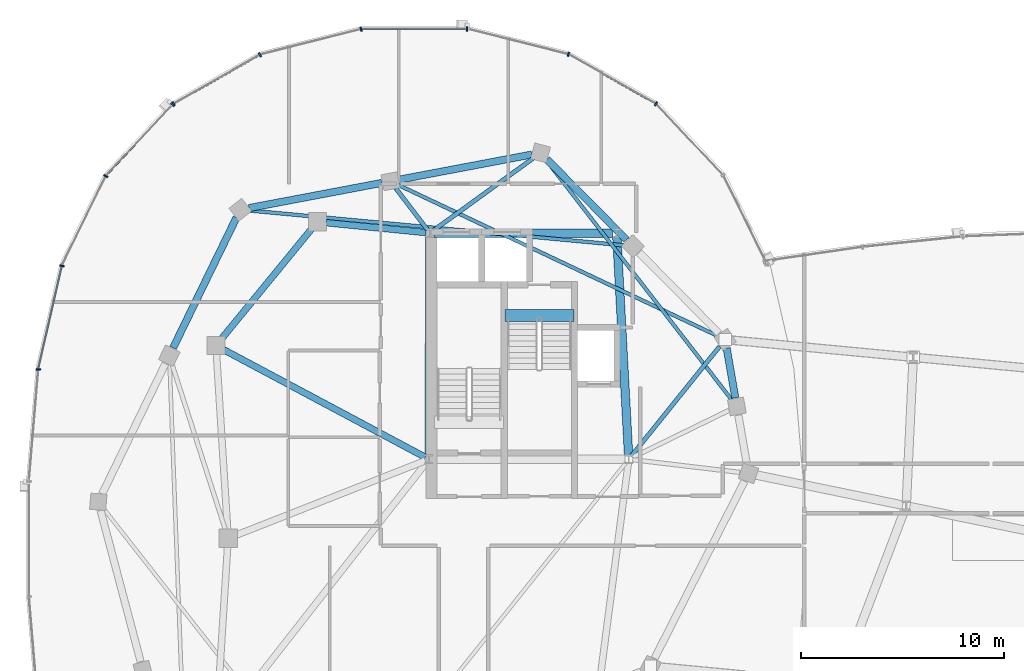
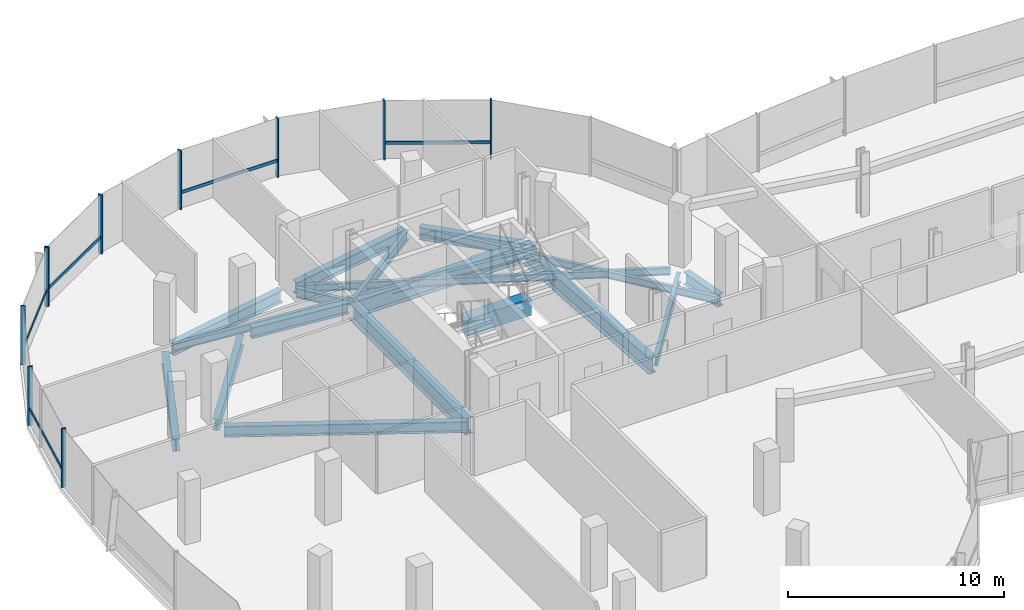
# One storey, part 6 of 25: 18 beams, 15 members, 2 elements without a shape of their own.
"""IFC4 building model written with IfcOpenShell, lengths in metres."""

from ifc_helpers import new_model, si_unit, direction, frame, origin, origin_2d, place, context, subcontext, project, spatial, rectangle, i_section, extrude, material, material_profile, profile_set, type_object, element, aggregate, save


model = new_model("IFC4")

# Units and contexts
model_context = context("Model", 3, precision=1e-05, world=origin(), true_north=direction((0.0, 1.0)))
body_context = subcontext(model_context, "Body", "Model", "MODEL_VIEW")
ifc_project = project(units=[si_unit("LENGTHUNIT", "METRE"), si_unit("AREAUNIT", "SQUARE_METRE"), si_unit("VOLUMEUNIT", "CUBIC_METRE"), si_unit("PLANEANGLEUNIT", "RADIAN"), si_unit("MASSUNIT", "GRAM", prefix="KILO"), si_unit("THERMODYNAMICTEMPERATUREUNIT", "KELVIN"), si_unit("POWERUNIT", "WATT")], contexts=[model_context])

# Site, building, storey
site_placement = place(None, origin())
site = spatial("IfcSite", under=ifc_project, at=site_placement, CompositionType="ELEMENT")
building_placement = place(site_placement, origin())
building = spatial("IfcBuilding", under=site, at=building_placement, Name="Cundina Bronze Exchange", CompositionType="ELEMENT")
storey_placement = place(building_placement, frame((0.0, 0.0, 239.60009765625)))
storey = spatial("IfcBuildingStorey", under=building, at=storey_placement, Name="L63", CompositionType="ELEMENT", Elevation=239.60009765625)

# Beams
ifc_material_1 = material(Name="Concrete C60/75", Category="concrete")
ifc_material_profile_1 = material_profile(ifc_material_1, rectangle(XDim=0.60009765625, YDim=0.949951171875, at=origin_2d()), Name="RC600X950", Category="concrete")
ifc_profile_set_1 = profile_set([ifc_material_profile_1], Name="Concrete C60/75")
beam_type_1 = type_object("IfcBeamType", Name="BM-COUP-RC950", PredefinedType="LINTEL", material=ifc_profile_set_1)
beam_1_placement = place(storey_placement, frame((-27.56005859375, 10.97998046875, -0.47509765625), z_axis=(1.0, 0.0, 0.0), x_axis=(0.0, 1.0, 0.0)))
element("IfcBeam", 1, at=beam_1_placement, inside=storey, type_object=beam_type_1, Name="L63 Stair W2 Landing Header Beam", PredefinedType="LINTEL", context=body_context, shape_type="SweptSolid", body=[
    extrude(rectangle(XDim=0.60009765625, YDim=0.949951171875, at=origin_2d()), origin(), (0.0, 0.0, 1.0), 3.400146484375),
])
ifc_material_2 = material(Name="Steel ASTM A992 Grade 50", Category="steel")
ifc_material_profile_2 = material_profile(ifc_material_2, i_section(OverallWidth=0.2119140625, OverallDepth=0.5439453125, WebThickness=0.01318359375, FlangeThickness=0.021240234375, FilletRadius=0.013916015625, at=origin_2d()), Name="W21X83", Category="steel")
ifc_profile_set_2 = profile_set([ifc_material_profile_2], Name="Steel ASTM A992 Grade 50")
beam_type_2 = type_object("IfcBeamType", Name="BM-FLR-W21A", PredefinedType="BEAM", material=ifc_profile_set_2)
beam_2_placement = place(storey_placement, frame((-21.3271484375, 4.052734375, -0.531982421875), z_axis=(0.627128630072, 0.778915708755, 0.0), x_axis=(-0.778915708755, 0.627128630072, 0.0)))
element("IfcBeam", 2, at=beam_2_placement, inside=storey, type_object=beam_type_2, Name="L63 Leg W Radial Floor Beam 02", PredefinedType="BEAM", context=body_context, shape_type="SweptSolid", body=[
    extrude(i_section(OverallWidth=0.2119140625, OverallDepth=0.5439453125, WebThickness=0.01318359375, FlangeThickness=0.021240234375, FilletRadius=0.013916015625, at=origin_2d()), origin(), (0.0, 0.0, 1.0), 6.9404296875),
])
beam_3_placement = place(storey_placement, frame((-31.09130859375, 15.1650390625, -0.531982421875), z_axis=(0.809709858543, 0.586830422677, 0.0), x_axis=(-0.586830422677, 0.809709858543, 0.0)))
element("IfcBeam", 3, at=beam_3_placement, inside=storey, type_object=beam_type_2, Name="L63 Leg W Radial Floor Beam 04", PredefinedType="BEAM", context=body_context, shape_type="SweptSolid", body=[
    extrude(i_section(OverallWidth=0.2119140625, OverallDepth=0.5439453125, WebThickness=0.01318359375, FlangeThickness=0.021240234375, FilletRadius=0.013916015625, at=origin_2d()), origin(), (0.0, 0.0, 1.0), 6.096923828125),
])
beam_4_placement = place(storey_placement, frame((-31.369140625, 15.205810546875, -0.531982421875), z_axis=(-0.60740437517, 0.794392802727, 0.0), x_axis=(-0.794392802727, -0.60740437517, 0.0)))
element("IfcBeam", 4, at=beam_4_placement, inside=storey, type_object=beam_type_2, Name="L63 Leg W Radial Floor Beam 05", PredefinedType="BEAM", context=body_context, shape_type="SweptSolid", body=[
    extrude(i_section(OverallWidth=0.2119140625, OverallDepth=0.5439453125, WebThickness=0.01318359375, FlangeThickness=0.021240234375, FilletRadius=0.013916015625, at=origin_2d()), origin(), (0.0, 0.0, 1.0), 2.575927734375),
])
ifc_material_profile_3 = material_profile(ifc_material_2, i_section(OverallWidth=0.178955078125, OverallDepth=0.409912109375, WebThickness=0.0087890625, FlangeThickness=0.014404296875, FilletRadius=0.010986328125, at=origin_2d()), Name="W16X45", Category="steel")
ifc_profile_set_3 = profile_set([ifc_material_profile_3], Name="Steel ASTM A992 Grade 50")
beam_type_3 = type_object("IfcBeamType", Name="BM-JST-W16", PredefinedType="JOIST", material=ifc_profile_set_3)
beam_5_placement = place(storey_placement, frame((-16.39306640625, 6.846435546875, -0.465087890625), z_axis=(-0.612085793291, 0.790791364174, 0.0), x_axis=(-0.790791364174, -0.612085793291, 0.0)))
element("IfcBeam", 5, at=beam_5_placement, inside=storey, type_object=beam_type_3, Name="L63 Leg W Lobe Floor Joist 01-04", PredefinedType="JOIST", context=body_context, shape_type="SweptSolid", body=[
    extrude(i_section(OverallWidth=0.178955078125, OverallDepth=0.409912109375, WebThickness=0.0087890625, FlangeThickness=0.014404296875, FilletRadius=0.010986328125, at=origin_2d()), origin(), (0.0, 0.0, 1.0), 14.9306640625),
])
beam_6_placement = place(storey_placement, frame((-17.095947265625, 9.9873046875, -0.465087890625), z_axis=(-0.904073747204, 0.427376484632, 0.0), x_axis=(-0.427376484632, -0.904073747204, 0.0)))
element("IfcBeam", 6, at=beam_6_placement, inside=storey, type_object=beam_type_3, Name="L63 Leg W Lobe Floor Joist 02-05", PredefinedType="JOIST", context=body_context, shape_type="SweptSolid", body=[
    extrude(i_section(OverallWidth=0.178955078125, OverallDepth=0.409912109375, WebThickness=0.0087890625, FlangeThickness=0.014404296875, FilletRadius=0.010986328125, at=origin_2d()), origin(), (0.0, 0.0, 1.0), 17.374755859375),
])
beam_7_placement = place(storey_placement, frame((-21.68603515625, 14.440673828125, -0.465087890625), z_axis=(-0.9957017803, 0.092617302415, 0.0), x_axis=(-0.092617302415, -0.9957017803, 0.0)))
element("IfcBeam", 7, at=beam_7_placement, inside=storey, type_object=beam_type_3, Name="L63 Leg W Lobe Floor Joist 03-06", PredefinedType="JOIST", context=body_context, shape_type="SweptSolid", body=[
    extrude(i_section(OverallWidth=0.178955078125, OverallDepth=0.409912109375, WebThickness=0.0087890625, FlangeThickness=0.014404296875, FilletRadius=0.010986328125, at=origin_2d()), origin(), (0.0, 0.0, 1.0), 18.5576171875),
])
ifc_material_profile_4 = material_profile(ifc_material_2, i_section(OverallWidth=0.324951171875, OverallDepth=0.615966796875, WebThickness=0.013916015625, FlangeThickness=0.021484375, FilletRadius=0.01611328125, at=origin_2d()), Name="W24X117", Category="steel")
ifc_profile_set_4 = profile_set([ifc_material_profile_4], Name="Steel ASTM A992 Grade 50")
beam_type_4 = type_object("IfcBeamType", Name="BM-RING-W24", PredefinedType="USERDEFINED", material=ifc_profile_set_4)
beam_8_placement = place(storey_placement, frame((-31.445068359375, 15.0693359375, -0.568115234375), z_axis=(-0.995123854478, 0.09863323096, 0.0), x_axis=(-0.09863323096, -0.995123854478, 0.0)))
element("IfcBeam", 8, at=beam_8_placement, inside=storey, type_object=beam_type_4, Name="L63 W Inner Structural Ring Girder 01", ObjectType="GIRDER", PredefinedType="USERDEFINED", context=body_context, shape_type="SweptSolid", body=[
    extrude(i_section(OverallWidth=0.324951171875, OverallDepth=0.615966796875, WebThickness=0.013916015625, FlangeThickness=0.021484375, FilletRadius=0.01611328125, at=origin_2d()), origin(), (0.0, 0.0, 1.0), 4.943115234375),
])
beam_9_placement = place(storey_placement, frame((-37.07763671875, 15.26123046875, -0.568115234375), z_axis=(-0.633912590175, -0.77340469873, 0.0), x_axis=(0.77340469873, -0.633912590175, 0.0)))
element("IfcBeam", 9, at=beam_9_placement, inside=storey, type_object=beam_type_4, Name="L63 W Inner Structural Ring Girder 02", ObjectType="GIRDER", PredefinedType="USERDEFINED", context=body_context, shape_type="SweptSolid", body=[
    extrude(i_section(OverallWidth=0.324951171875, OverallDepth=0.615966796875, WebThickness=0.013916015625, FlangeThickness=0.021484375, FilletRadius=0.01611328125, at=origin_2d()), origin(), (0.0, 0.0, 1.0), 7.01123046875),
])
beam_10_placement = place(storey_placement, frame((-31.472900390625, 3.9921875, -0.568115234375), z_axis=(-0.882350541683, 0.470592734317, 0.0), x_axis=(-0.470592734317, -0.882350541683, 0.0)))
element("IfcBeam", 10, at=beam_10_placement, inside=storey, type_object=beam_type_4, Name="L63 W Core-to-Waist Tie Beam 2", ObjectType="GIRDER", PredefinedType="USERDEFINED", context=body_context, shape_type="SweptSolid", body=[
    extrude(i_section(OverallWidth=0.324951171875, OverallDepth=0.615966796875, WebThickness=0.013916015625, FlangeThickness=0.021484375, FilletRadius=0.01611328125, at=origin_2d()), origin(), (0.0, 0.0, 1.0), 11.26611328125),
])
ifc_material_profile_5 = material_profile(ifc_material_2, i_section(OverallWidth=0.35498046875, OverallDepth=0.695068359375, WebThickness=0.015380859375, FlangeThickness=0.02490234375, FilletRadius=0.01806640625, at=origin_2d()), Name="W27X146", Category="steel")
ifc_profile_set_5 = profile_set([ifc_material_profile_5], Name="Steel ASTM A992 Grade 50")
beam_type_5 = type_object("IfcBeamType", Name="BM-RING-W27", PredefinedType="USERDEFINED", material=ifc_profile_set_5)
beam_11_placement = place(storey_placement, frame((-16.2001953125, 6.931396484375, -0.607666015625), z_axis=(-0.171628556628, 0.985161732179, 0.0), x_axis=(-0.985161732179, -0.171628556628, 0.0)))
element("IfcBeam", 11, at=beam_11_placement, inside=storey, type_object=beam_type_5, Name="L63 W Perimeter Ring Girder 01", ObjectType="GIRDER", PredefinedType="USERDEFINED", context=body_context, shape_type="SweptSolid", body=[
    extrude(i_section(OverallWidth=0.35498046875, OverallDepth=0.695068359375, WebThickness=0.015380859375, FlangeThickness=0.02490234375, FilletRadius=0.01806640625, at=origin_2d()), origin(), (0.0, 0.0, 1.0), 2.4736328125),
])
beam_12_placement = place(storey_placement, frame((-21.55810546875, 14.71142578125, -0.607666015625), z_axis=(-0.703211928763, 0.710980297368, 0.0), x_axis=(-0.710980297368, -0.703211928763, 0.0)))
element("IfcBeam", 12, at=beam_12_placement, inside=storey, type_object=beam_type_5, Name="L63 W Perimeter Ring Girder 03", ObjectType="GIRDER", PredefinedType="USERDEFINED", context=body_context, shape_type="SweptSolid", body=[
    extrude(i_section(OverallWidth=0.35498046875, OverallDepth=0.695068359375, WebThickness=0.015380859375, FlangeThickness=0.02490234375, FilletRadius=0.01806640625, at=origin_2d()), origin(), (0.0, 0.0, 1.0), 5.593994140625),
])
beam_13_placement = place(storey_placement, frame((-26.23046875, 18.918701171875, -0.607666015625), z_axis=(-0.982565174657, -0.185918470175, 0.0), x_axis=(0.185918470175, -0.982565174657, 0.0)))
element("IfcBeam", 13, at=beam_13_placement, inside=storey, type_object=beam_type_5, Name="L63 W Perimeter Ring Girder 04", ObjectType="GIRDER", PredefinedType="USERDEFINED", context=body_context, shape_type="SweptSolid", body=[
    extrude(i_section(OverallWidth=0.35498046875, OverallDepth=0.695068359375, WebThickness=0.015380859375, FlangeThickness=0.02490234375, FilletRadius=0.01806640625, at=origin_2d()), origin(), (0.0, 0.0, 1.0), 6.655029296875),
])
beam_14_placement = place(storey_placement, frame((-33.63037109375, 17.5185546875, -0.607666015625), z_axis=(-0.982573143022, -0.185876353022, 0.0), x_axis=(0.185876353022, -0.982573143022, 0.0)))
element("IfcBeam", 14, at=beam_14_placement, inside=storey, type_object=beam_type_5, Name="L63 W Perimeter Ring Girder 05", ObjectType="GIRDER", PredefinedType="USERDEFINED", context=body_context, shape_type="SweptSolid", body=[
    extrude(i_section(OverallWidth=0.35498046875, OverallDepth=0.695068359375, WebThickness=0.015380859375, FlangeThickness=0.02490234375, FilletRadius=0.01806640625, at=origin_2d()), origin(), (0.0, 0.0, 1.0), 6.6552734375),
])
beam_15_placement = place(storey_placement, frame((-40.79150390625, 15.80615234375, -0.607666015625), z_axis=(-0.437173087764, -0.89937739094, 0.0), x_axis=(0.89937739094, -0.437173087764, 0.0)))
element("IfcBeam", 15, at=beam_15_placement, inside=storey, type_object=beam_type_5, Name="L63 W Perimeter Ring Girder 06", ObjectType="GIRDER", PredefinedType="USERDEFINED", context=body_context, shape_type="SweptSolid", body=[
    extrude(i_section(OverallWidth=0.35498046875, OverallDepth=0.695068359375, WebThickness=0.015380859375, FlangeThickness=0.02490234375, FilletRadius=0.01806640625, at=origin_2d()), origin(), (0.0, 0.0, 1.0), 7.1298828125),
])
ifc_material_profile_6 = material_profile(ifc_material_2, i_section(OverallWidth=0.41796875, OverallDepth=0.927001953125, WebThickness=0.019287109375, FlangeThickness=0.031982421875, FilletRadius=0.02392578125, at=origin_2d()), Name="W36X231", Category="steel")
ifc_profile_set_6 = profile_set([ifc_material_profile_6], Name="Steel ASTM A992 Grade 50")
beam_type_6 = type_object("IfcBeamType", Name="BM-WRN-W36B", PredefinedType="USERDEFINED", material=ifc_profile_set_6)
beam_16_placement = place(storey_placement, frame((-21.46044921875, 4.095703125, -0.7236328125), z_axis=(-0.053749317644, 0.998554460634, 0.0), x_axis=(-0.998554460634, -0.053749317644, 0.0)))
element("IfcBeam", 16, at=beam_16_placement, inside=storey, type_object=beam_type_6, Name="L63 W Core Perimeter Tie Girder 2", ObjectType="GIRDER", PredefinedType="USERDEFINED", context=body_context, shape_type="SweptSolid", body=[
    extrude(i_section(OverallWidth=0.41796875, OverallDepth=0.927001953125, WebThickness=0.019287109375, FlangeThickness=0.031982421875, FilletRadius=0.02392578125, at=origin_2d()), origin(), (0.0, 0.0, 1.0), 10.774169921875),
])
beam_17_placement = place(storey_placement, frame((-22.24609375, 15.050048828125, -0.7236328125), z_axis=(-1.0, 0.0, 0.0), x_axis=(0.0, -1.0, 0.0)))
element("IfcBeam", 17, at=beam_17_placement, inside=storey, type_object=beam_type_6, Name="L63 W Core Perimeter Tie Girder 3", ObjectType="GIRDER", PredefinedType="USERDEFINED", context=body_context, shape_type="SweptSolid", body=[
    extrude(i_section(OverallWidth=0.41796875, OverallDepth=0.927001953125, WebThickness=0.019287109375, FlangeThickness=0.031982421875, FilletRadius=0.02392578125, at=origin_2d()), origin(), (0.0, 0.0, 1.0), 8.807861328125),
])
beam_18_placement = place(storey_placement, frame((-31.2509765625, 14.85400390625, -0.7236328125), z_axis=(-0.004470623654, -0.999990006712, 0.0), x_axis=(0.999990006712, -0.004470623654, 0.0)))
element("IfcBeam", 18, at=beam_18_placement, inside=storey, type_object=beam_type_6, Name="L63 W Core Perimeter Tie Girder 4", ObjectType="GIRDER", PredefinedType="USERDEFINED", context=body_context, shape_type="SweptSolid", body=[
    extrude(i_section(OverallWidth=0.41796875, OverallDepth=0.927001953125, WebThickness=0.019287109375, FlangeThickness=0.031982421875, FilletRadius=0.02392578125, at=origin_2d()), origin(), (0.0, 0.0, 1.0), 10.758056640625),
])

# Curtain wall, members
ifc_material_3 = material(Name="Anodised Bronze Aluminium 6063-T6", Category="aluminium")
curtain_wall_type = type_object("IfcCurtainWallType", Name="CWS-SKG-BRG", PredefinedType="NOTDEFINED", material=ifc_material_3)
curtain_wall_1_placement = place(storey_placement, origin())
curtain_wall_1 = element("IfcCurtainWall", 19, at=curtain_wall_1_placement, inside=storey, type_object=curtain_wall_type, Name="L63 CW-06 Curtain Wall Run CWR-L63-W1", PredefinedType="NOTDEFINED")
ifc_material_profile_7 = material_profile(ifc_material_3, rectangle(XDim=0.074951171875, YDim=0.219970703125, at=origin_2d()), Name="AL75X220", Category="aluminium")
ifc_profile_set_7 = profile_set([ifc_material_profile_7], Name="Anodised Bronze Aluminium 6063-T6")
member_type_1 = type_object("IfcMemberType", Name="CWM-MUL-220", PredefinedType="MULLION", material=ifc_profile_set_7)
member_1_placement = place(storey_placement, frame((-20.11083984375, 21.419921875, 0.0), z_axis=(0.0, 0.0, 1.0), x_axis=(-0.86958112538, 0.493790103568, 0.0)))
member_1 = element("IfcMember", 20, at=member_1_placement, type_object=member_type_1, Name="CW-06 Mullion 3", PredefinedType="MULLION", context=body_context, shape_type="SweptSolid", body=[
    extrude(rectangle(XDim=0.074951171875, YDim=0.219970703125, at=origin_2d()), origin(), (0.0, 0.0, 1.0), 3.33984375),
])
member_2_placement = place(storey_placement, frame((-24.4296875, 23.86181640625, 0.0), z_axis=(0.0, 0.0, 1.0), x_axis=(-0.969744325821, 0.244122802168, 0.0)))
member_2 = element("IfcMember", 21, at=member_2_placement, type_object=member_type_1, Name="CW-06 Mullion 4", PredefinedType="MULLION", context=body_context, shape_type="SweptSolid", body=[
    extrude(rectangle(XDim=0.074951171875, YDim=0.219970703125, at=origin_2d()), origin(), (0.0, 0.0, 1.0), 3.33984375),
])
member_3_placement = place(storey_placement, frame((-29.423583984375, 25.110107421875, 0.0), z_axis=(0.0, 0.0, 1.0), x_axis=(-1.0, 0.0, 0.0)))
member_3 = element("IfcMember", 22, at=member_3_placement, type_object=member_type_1, Name="CW-06 Mullion 5", PredefinedType="MULLION", context=body_context, shape_type="SweptSolid", body=[
    extrude(rectangle(XDim=0.074951171875, YDim=0.219970703125, at=origin_2d()), origin(), (0.0, 0.0, 1.0), 3.33984375),
])
member_4_placement = place(storey_placement, frame((-34.648193359375, 25.10107421875, 0.0), z_axis=(0.0, 0.0, 1.0), x_axis=(-0.969744325821, -0.244122802168, 0.0)))
member_4 = element("IfcMember", 23, at=member_4_placement, type_object=member_type_1, Name="CW-06 Mullion 6", PredefinedType="MULLION", context=body_context, shape_type="SweptSolid", body=[
    extrude(rectangle(XDim=0.074951171875, YDim=0.219970703125, at=origin_2d()), origin(), (0.0, 0.0, 1.0), 3.33984375),
])
member_5_placement = place(storey_placement, frame((-39.634521484375, 23.8359375, 0.0), z_axis=(0.0, 0.0, 1.0), x_axis=(-0.86958112538, -0.493790103568, 0.0)))
member_5 = element("IfcMember", 24, at=member_5_placement, type_object=member_type_1, Name="CW-06 Mullion 7", PredefinedType="MULLION", context=body_context, shape_type="SweptSolid", body=[
    extrude(rectangle(XDim=0.074951171875, YDim=0.219970703125, at=origin_2d()), origin(), (0.0, 0.0, 1.0), 3.33984375),
])
member_6_placement = place(storey_placement, frame((-43.88916015625, 21.419921875, 0.0), z_axis=(0.0, 0.0, 1.0), x_axis=(-0.86958112538, -0.493790103568, 0.0)))
member_6 = element("IfcMember", 25, at=member_6_placement, type_object=member_type_1, Name="CW-06 End Mullion", PredefinedType="MULLION", context=body_context, shape_type="SweptSolid", body=[
    extrude(rectangle(XDim=0.074951171875, YDim=0.219970703125, at=origin_2d()), origin(), (0.0, 0.0, 1.0), 3.33984375),
])

curtain_wall_2_placement = place(storey_placement, origin())
curtain_wall_2 = element("IfcCurtainWall", 26, at=curtain_wall_2_placement, inside=storey, type_object=curtain_wall_type, Name="L63 CW-06 Curtain Wall Run CWR-L63-W2", PredefinedType="NOTDEFINED")
member_7_placement = place(storey_placement, frame((-43.940185546875, 21.3798828125, 0.0), z_axis=(0.0, 0.0, 1.0), x_axis=(-0.684292606175, -0.729207535023, 0.0)))
member_7 = element("IfcMember", 27, at=member_7_placement, type_object=member_type_1, Name="CW-06 Mullion 1", PredefinedType="MULLION", context=body_context, shape_type="SweptSolid", body=[
    extrude(rectangle(XDim=0.074951171875, YDim=0.219970703125, at=origin_2d()), origin(), (0.0, 0.0, 1.0), 3.33984375),
])
member_8_placement = place(storey_placement, frame((-47.2333984375, 17.856689453125, 0.0), z_axis=(0.0, 0.0, 1.0), x_axis=(-0.440566004113, -0.897720221461, 0.0)))
member_8 = element("IfcMember", 28, at=member_8_placement, type_object=member_type_1, Name="CW-06 Mullion 2", PredefinedType="MULLION", context=body_context, shape_type="SweptSolid", body=[
    extrude(rectangle(XDim=0.074951171875, YDim=0.219970703125, at=origin_2d()), origin(), (0.0, 0.0, 1.0), 3.33984375),
])
member_9_placement = place(storey_placement, frame((-49.39404296875, 13.433837890625, 0.0), z_axis=(0.0, 0.0, 1.0), x_axis=(-0.223250116011, -0.974761194191, 0.0)))
member_9 = element("IfcMember", 29, at=member_9_placement, type_object=member_type_1, Name="CW-06 Mullion 3", PredefinedType="MULLION", context=body_context, shape_type="SweptSolid", body=[
    extrude(rectangle(XDim=0.074951171875, YDim=0.219970703125, at=origin_2d()), origin(), (0.0, 0.0, 1.0), 3.33984375),
])
member_10_placement = place(storey_placement, frame((-50.557861328125, 8.32568359375, 0.0), z_axis=(0.0, 0.0, 1.0), x_axis=(-0.083677843332, -0.99649285925, 0.0)))
member_10 = element("IfcMember", 30, at=member_10_placement, type_object=member_type_1, Name="CW-06 Mullion 4", PredefinedType="MULLION", context=body_context, shape_type="SweptSolid", body=[
    extrude(rectangle(XDim=0.074951171875, YDim=0.219970703125, at=origin_2d()), origin(), (0.0, 0.0, 1.0), 3.33984375),
])

# Member
ifc_material_profile_8 = material_profile(ifc_material_3, rectangle(XDim=0.070068359375, YDim=0.179931640625, at=origin_2d()), Name="AL70X180", Category="aluminium")
ifc_profile_set_8 = profile_set([ifc_material_profile_8], Name="Anodised Bronze Aluminium 6063-T6")
member_type_2 = type_object("IfcMemberType", Name="CWM-TRN-180", PredefinedType="USERDEFINED", material=ifc_profile_set_8)
member_11_placement = place(storey_placement, frame((-20.146728515625, 21.440185546875, 0.919921875), z_axis=(-0.869557366176, 0.493831941989, 0.0), x_axis=(-0.493831941989, -0.869557366176, 0.0)))
member_11 = element("IfcMember", 31, at=member_11_placement, type_object=member_type_2, Name="CW-06 Spandrel Transom 3", ObjectType="TRANSOM", PredefinedType="USERDEFINED", context=body_context, shape_type="SweptSolid", body=[
    extrude(rectangle(XDim=0.070068359375, YDim=0.179931640625, at=origin_2d()), origin(), (0.0, 0.0, 1.0), 4.892822265625),
])

member_12_placement = place(storey_placement, frame((-29.464599609375, 25.110107421875, 0.919921875), z_axis=(-1.0, 0.0, 0.0), x_axis=(0.0, -1.0, 0.0)))
member_12 = element("IfcMember", 32, at=member_12_placement, type_object=member_type_2, Name="CW-06 Spandrel Transom 5", ObjectType="TRANSOM", PredefinedType="USERDEFINED", context=body_context, shape_type="SweptSolid", body=[
    extrude(rectangle(XDim=0.070068359375, YDim=0.179931640625, at=origin_2d()), origin(), (0.0, 0.0, 1.0), 5.1533203125),
])

member_13_placement = place(storey_placement, frame((-39.67041015625, 23.815673828125, 0.919921875), z_axis=(-0.869558105282, -0.493830640542, 0.0), x_axis=(0.493830640542, -0.869558105282, 0.0)))
member_13 = element("IfcMember", 33, at=member_13_placement, type_object=member_type_2, Name="CW-06 Spandrel Transom 7", ObjectType="TRANSOM", PredefinedType="USERDEFINED", context=body_context, shape_type="SweptSolid", body=[
    extrude(rectangle(XDim=0.070068359375, YDim=0.179931640625, at=origin_2d()), origin(), (0.0, 0.0, 1.0), 4.810302734375),
])

aggregate(curtain_wall_1, [member_1, member_11, member_2, member_3, member_12, member_4, member_5, member_6, member_13])

member_14_placement = place(storey_placement, frame((-43.968505859375, 21.349609375, 0.919921875), z_axis=(-0.684328474899, -0.729173873944, 0.0), x_axis=(0.729173873944, -0.684328474899, 0.0)))
member_14 = element("IfcMember", 34, at=member_14_placement, type_object=member_type_2, Name="CW-06 Spandrel Transom 1", ObjectType="TRANSOM", PredefinedType="USERDEFINED", context=body_context, shape_type="SweptSolid", body=[
    extrude(rectangle(XDim=0.070068359375, YDim=0.179931640625, at=origin_2d()), origin(), (0.0, 0.0, 1.0), 4.758056640625),
])

member_15_placement = place(storey_placement, frame((-49.4033203125, 13.3935546875, 0.919921875), z_axis=(-0.223257048806, -0.974759606343, 0.0), x_axis=(0.974759606343, -0.223257048806, 0.0)))
member_15 = element("IfcMember", 35, at=member_15_placement, type_object=member_type_2, Name="CW-06 Spandrel Transom 3", ObjectType="TRANSOM", PredefinedType="USERDEFINED", context=body_context, shape_type="SweptSolid", body=[
    extrude(rectangle(XDim=0.070068359375, YDim=0.179931640625, at=origin_2d()), origin(), (0.0, 0.0, 1.0), 5.15283203125),
])

aggregate(curtain_wall_2, [member_7, member_14, member_8, member_9, member_15, member_10])

save(model, "model.ifc")
